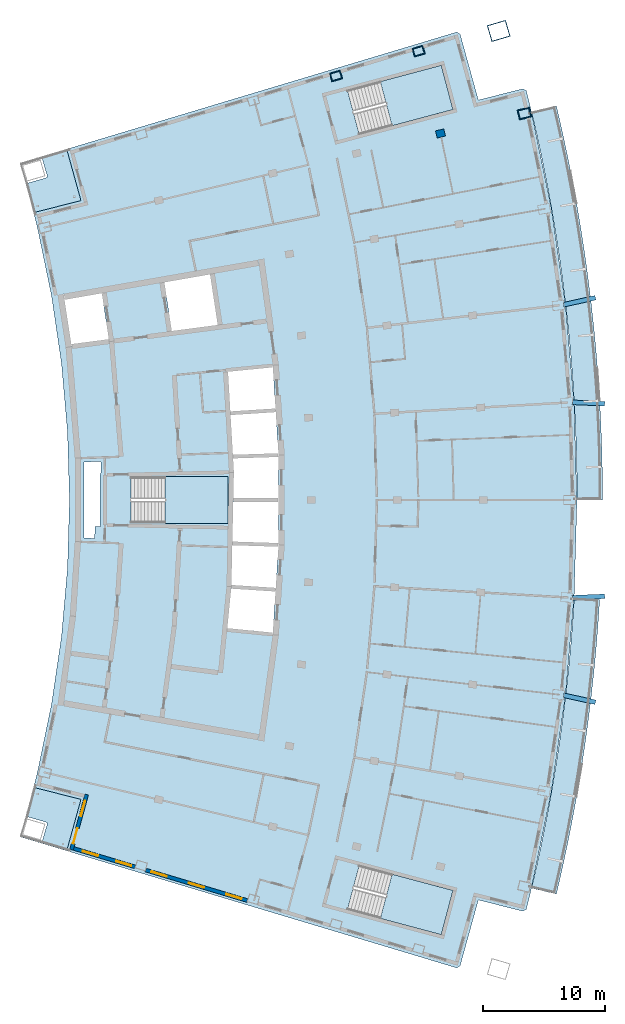
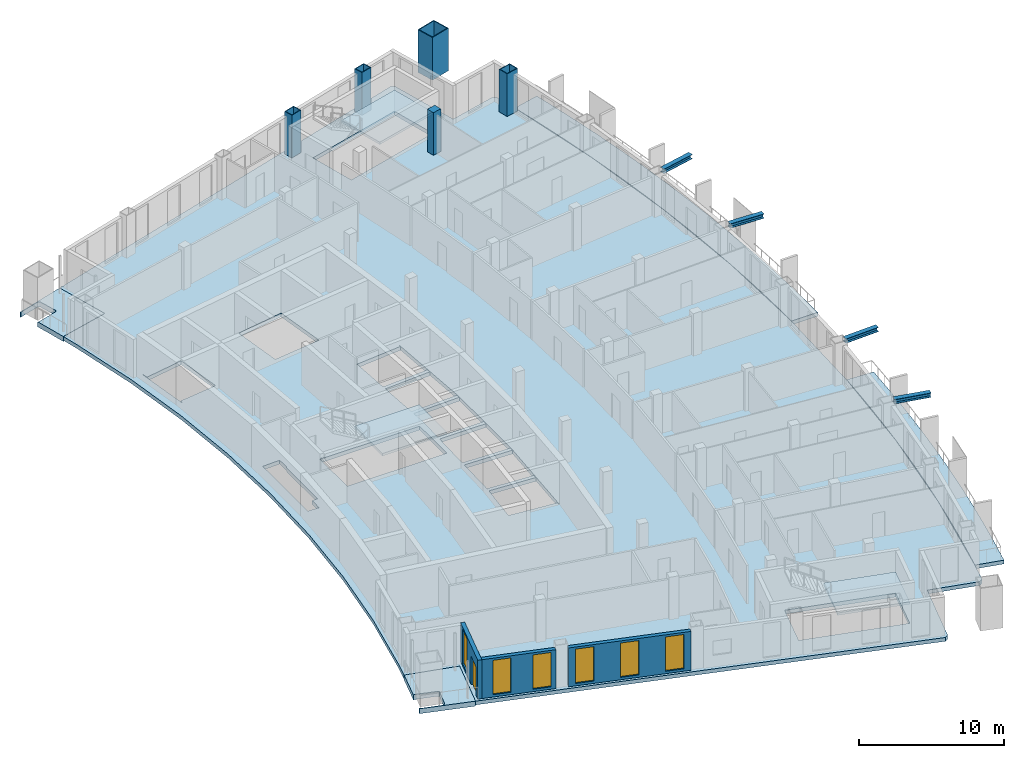
# One storey, part 6 of 15: 8 slabs, 6 windows, 5 columns, 4 members, 3 walls, 1 door, 7 openings, 3 elements without a shape of their own.
"""IFC4 building model written with IfcOpenShell, lengths in metres."""

from ifc_helpers import new_model, si_unit, direction, frame, frame_2d, origin, origin_2d, place, context, subcontext, project, spatial, polyline, rectangle, hollow_rectangle, i_section, outline, extrude, material, layer, layer_set, material_profile, profile_set, type_object, element, fill, aggregate, save


model = new_model("IFC4")

# Units and contexts
model_context = context("Model", 3, precision=1e-05, world=origin(), true_north=direction((0.0, 1.0)))
body_context = subcontext(model_context, "Body", "Model", "MODEL_VIEW")
ifc_project = project(units=[si_unit("LENGTHUNIT", "METRE"), si_unit("AREAUNIT", "SQUARE_METRE"), si_unit("VOLUMEUNIT", "CUBIC_METRE"), si_unit("PLANEANGLEUNIT", "RADIAN"), si_unit("MASSUNIT", "GRAM", prefix="KILO")], contexts=[model_context])

# Site, building, storey
site_placement = place(None, origin())
site = spatial("IfcSite", under=ifc_project, at=site_placement, CompositionType="ELEMENT")
building_placement = place(site_placement, origin())
building = spatial("IfcBuilding", under=site, at=building_placement, Name="Alderwake Tower", CompositionType="ELEMENT")
storey_placement = place(building_placement, frame((0.0, 0.0, 249.199951171875)))
storey = spatial("IfcBuildingStorey", under=building, at=storey_placement, Name="L61", CompositionType="ELEMENT", Elevation=249.199951171875)

# Columns
ifc_material_1 = material(Name="Steel ASTM A572 Grade 50 concrete filled C70/85", Category="concrete")
ifc_material_profile_1 = material_profile(ifc_material_1, hollow_rectangle(XDim=0.699951171875, YDim=0.89990234375, WallThickness=0.050048828125, at=origin_2d()), Name="BOX 900X700X50")
ifc_profile_set_1 = profile_set([ifc_material_profile_1], Name="Steel ASTM A572 Grade 50 concrete filled C70/85")
column_type_1 = type_object("IfcColumnType", Name="End column Z5", PredefinedType="COLUMN", material=ifc_profile_set_1)
for number, where, z_axis, x_axis, name in (
    (1, (37.8486328125, 95.755126953125, 0.0), (0.0, 0.0, 1.0), (-0.28286882455, 0.959158604245, 0.0), "Column R12-C3"),
    (2, (44.616943359375, 97.787109375, 0.0), (0.0, 0.0, 1.0), (-0.283123269824, 0.95908352821, 0.0), "Column R12-C4"),
):
    element("IfcColumn", number, at=place(storey_placement, frame(where, z_axis=z_axis, x_axis=x_axis)), inside=storey, type_object=column_type_1, Name=name, PredefinedType="COLUMN", context=body_context, shape_type="SweptSolid", body=[
        extrude(hollow_rectangle(XDim=0.699951171875, YDim=0.89990234375, WallThickness=0.050048828125, at=origin_2d()), origin(), (0.0, 0.0, 1.0), 3.60009765625),
    ])
ifc_material_2 = material(Name="Concrete C70/85", Category="concrete")
ifc_material_profile_2 = material_profile(ifc_material_2, rectangle(XDim=0.60009765625, YDim=0.699951171875, at=origin_2d()), Name="RC 700X600")
ifc_profile_set_2 = profile_set([ifc_material_profile_2], Name="Concrete C70/85")
column_type_2 = type_object("IfcColumnType", Name="Interior column Z5", PredefinedType="COLUMN", material=ifc_profile_set_2)
column_1_placement = place(storey_placement, frame((46.412109375, 91.04345703125, 0.0), z_axis=(0.0, 0.0, 1.0), x_axis=(-0.231221547198, 0.972901123502, 0.0)))
element("IfcColumn", 3, at=column_1_placement, inside=storey, type_object=column_type_2, Name="Column R11-C4", PredefinedType="COLUMN", context=body_context, shape_type="SweptSolid", body=[
    extrude(rectangle(XDim=0.60009765625, YDim=0.699951171875, at=origin_2d()), origin(), (0.0, 0.0, 1.0), 3.60009765625),
])
ifc_material_3 = material(Name="Steel ASTM A572 Grade 50 concrete filled C70/85", Category="concrete")
ifc_material_profile_3 = material_profile(ifc_material_3, hollow_rectangle(XDim=1.39990234375, YDim=1.60009765625, WallThickness=0.070068359375, at=origin_2d()), Name="BOX 1600X1400X70")
ifc_profile_set_3 = profile_set([ifc_material_profile_3], Name="Steel ASTM A572 Grade 50 concrete filled C70/85")
column_type_3 = type_object("IfcColumnType", Name="Mega column Z5", PredefinedType="COLUMN", material=ifc_profile_set_3)
column_2_placement = place(storey_placement, frame((51.181884765625, 99.447021484375, 0.0), z_axis=(0.0, 0.0, 1.0), x_axis=(-0.281251293329, 0.959634154249, 0.0)))
element("IfcColumn", 4, at=column_2_placement, inside=storey, type_object=column_type_3, Name="Column R12-C5", PredefinedType="COLUMN", context=body_context, shape_type="SweptSolid", body=[
    extrude(hollow_rectangle(XDim=1.39990234375, YDim=1.60009765625, WallThickness=0.070068359375, at=origin_2d()), origin(), (0.0, 0.0, 1.0), 3.60009765625),
])
ifc_material_4 = material(Name="Steel ASTM A572 Grade 50 concrete filled C70/85", Category="concrete")
ifc_material_profile_4 = material_profile(ifc_material_4, hollow_rectangle(XDim=0.800048828125, YDim=1.0, WallThickness=0.054931640625, at=origin_2d()), Name="BOX 1000X800X55")
ifc_profile_set_4 = profile_set([ifc_material_profile_4], Name="Steel ASTM A572 Grade 50 concrete filled C70/85")
column_type_4 = type_object("IfcColumnType", Name="Perimeter column Z5", PredefinedType="COLUMN", material=ifc_profile_set_4)
column_3_placement = place(storey_placement, frame((53.287353515625, 92.677490234375, 0.0), z_axis=(0.0, 0.0, 1.0), x_axis=(-0.231221547198, 0.972901123502, 0.0)))
element("IfcColumn", 5, at=column_3_placement, inside=storey, type_object=column_type_4, Name="Column R11-C5", PredefinedType="COLUMN", context=body_context, shape_type="SweptSolid", body=[
    extrude(hollow_rectangle(XDim=0.800048828125, YDim=1.0, WallThickness=0.054931640625, at=origin_2d()), origin(), (0.0, 0.0, 1.0), 3.60009765625),
])

# Members
ifc_material_5 = material(Name="Steel ASTM A992 Grade 50", Category="steel")
ifc_material_profile_5 = material_profile(ifc_material_5, i_section(OverallWidth=0.3740234375, OverallDepth=0.372314453125, WebThickness=0.016357421875, FlangeThickness=0.026123046875, at=origin_2d()), Name="W14X132")
ifc_profile_set_5 = profile_set([ifc_material_profile_5], Name="Steel ASTM A992 Grade 50")
member_type = type_object("IfcMemberType", Name="Brace node stub W14X132", PredefinedType="MEMBER", material=ifc_profile_set_5)
for number, where, z_axis, x_axis, name in (
    (6, (56.514892578125, 44.99462890625, 3.393798828125), (0.976385314898, -0.216036378538, 0.0), (0.216036378538, 0.976385314898, 0.0), "Brace node stub BS.FR05-C5.2528"),
    (7, (57.216552734375, 52.99267578125, 3.393798828125), (0.999088943242, 0.042676498127, 0.0), (-0.042676498127, 0.999088943242, 0.0), "Brace node stub BS.FR06-C5.2528"),
    (8, (57.216552734375, 69.00732421875, 3.393798828125), (0.999088943242, -0.042676498127, 0.0), (0.042676498127, 0.999088943242, 0.0), "Brace node stub BS.FR08-C5.2528"),
    (9, (56.514892578125, 77.00537109375, 3.393798828125), (0.976385314898, 0.216036378538, 0.0), (-0.216036378538, 0.976385314898, 0.0), "Brace node stub BS.FR09-C5.2528"),
):
    element("IfcMember", number, at=place(storey_placement, frame(where, z_axis=z_axis, x_axis=x_axis)), inside=storey, type_object=member_type, Name=name, PredefinedType="MEMBER", context=body_context, shape_type="SweptSolid", body=[
        extrude(i_section(OverallWidth=0.3740234375, OverallDepth=0.372314453125, WebThickness=0.016357421875, FlangeThickness=0.026123046875, at=origin_2d()), origin(), (0.0, 0.0, 1.0), 2.66015625),
    ])

# Slabs
ifc_material_6 = material(Name="Concrete C50/60", Category="concrete")
ifc_layer_1 = layer(ifc_material_6, 0.320068359375)
ifc_layer_set_1 = layer_set([ifc_layer_1], Name="Balcony slab 320")
slab_type_1 = type_object("IfcSlabType", Name="Balcony slab 320", PredefinedType="FLOOR", material=ifc_layer_set_1)
slab_1_placement = place(storey_placement, frame((0.0, 0.0, -0.320068359375)))
element("IfcSlab", 10, at=slab_1_placement, inside=storey, type_object=slab_type_1, Name="Balcony BF03", PredefinedType="FLOOR", context=body_context, shape_type="SweptSolid", body=[
    extrude(outline(polyline([(56.798583984375, 32.67578125), (57.197021484375, 34.673583984375), (57.56640625, 36.677001953125), (57.906494140625, 38.685791015625), (58.217041015625, 40.69921875), (58.49853515625, 42.717041015625), (58.750244140625, 44.738525390625), (58.97265625, 46.763671875), (59.16552734375, 48.791748046875), (59.328857421875, 50.822509765625), (59.46240234375, 52.85546875), (57.365966796875, 52.977783203125), (57.234375, 50.9755859375), (57.073486328125, 48.975341796875), (56.8837890625, 46.977783203125), (56.66455078125, 44.983154296875), (56.41650390625, 42.99169921875), (56.139404296875, 41.00439453125), (55.833251953125, 39.021240234375), (55.498291015625, 37.042724609375), (55.134521484375, 35.0693359375), (54.7421875, 33.101318359375), (54.32080078125, 31.139404296875), (53.87109375, 29.183837890625), (55.914306640625, 28.6982421875), (56.370849609375, 30.683837890625), (56.798583984375, 32.67578125)])), origin(), (0.0, 0.0, 1.0), 0.320068359375),
])
slab_2_placement = place(storey_placement, frame((0.0, 0.0, -0.320068359375)))
element("IfcSlab", 11, at=slab_2_placement, inside=storey, type_object=slab_type_1, Name="Balcony BF07", PredefinedType="FLOOR", context=body_context, shape_type="SweptSolid", body=[
    extrude(outline(polyline([(59.68505859375, 63.037109375), (59.640625, 65.073974609375), (59.56640625, 67.10986328125), (59.46240234375, 69.14453125), (59.328857421875, 71.177490234375), (59.16552734375, 73.208251953125), (58.97265625, 75.236328125), (58.750244140625, 77.261474609375), (58.49853515625, 79.282958984375), (58.217041015625, 81.30078125), (57.906494140625, 83.314208984375), (57.56640625, 85.322998046875), (57.197021484375, 87.326416015625), (56.798583984375, 89.32421875), (56.370849609375, 91.316162109375), (55.914306640625, 93.3017578125), (53.87109375, 92.816162109375), (54.32080078125, 90.860595703125), (54.7421875, 88.898681640625), (55.134521484375, 86.9306640625), (55.498291015625, 84.957275390625), (55.833251953125, 82.978759765625), (56.139404296875, 80.99560546875), (56.41650390625, 79.00830078125), (56.66455078125, 77.016845703125), (56.8837890625, 75.022216796875), (57.073486328125, 73.024658203125), (57.234375, 71.0244140625), (57.365966796875, 69.022216796875), (57.46826171875, 67.01806640625), (57.54150390625, 65.0126953125), (57.58544921875, 63.006591796875), (57.60009765625, 61.0), (59.699951171875, 61.0), (59.68505859375, 63.037109375)])), origin(), (0.0, 0.0, 1.0), 0.320068359375),
])
ifc_material_7 = material(Name="Concrete C50/60", Category="concrete")
ifc_layer_2 = layer(ifc_material_7, 0.320068359375)
ifc_layer_set_2 = layer_set([ifc_layer_2], Name="Concrete C50/60 post-tensioned flat plate 320")
slab_type_2 = type_object("IfcSlabType", Name="Concrete C50/60 post-tensioned flat plate 320", PredefinedType="FLOOR", material=ifc_layer_set_2)
slab_3_placement = place(storey_placement, frame((0.0, 0.0, -0.320068359375)))
element("IfcSlab", 12, at=slab_3_placement, inside=storey, type_object=slab_type_2, Name="Floor slab L61", PredefinedType="FLOOR", context=body_context, shape_type="SweptSolid", body=[
    extrude(outline(polyline([(13.06494140625, 37.443115234375), (13.3984375, 38.802734375), (14.53369140625, 44.28564453125), (15.347412109375, 49.825439453125), (15.836669921875, 55.4033203125), (16.0, 61.0), (15.836669921875, 66.5966796875), (15.347412109375, 72.174560546875), (14.53369140625, 77.71435546875), (13.3984375, 83.197265625), (13.06494140625, 84.556884765625), (16.942626953125, 85.53857421875), (15.776611328125, 89.7548828125), (47.7373046875, 99.350341796875), (48.018798828125, 99.19482421875), (49.515380859375, 93.783447265625), (53.169921875, 94.70849609375), (53.44775390625, 94.54150390625), (53.87109375, 92.816162109375), (55.498291015625, 84.957275390625), (56.66455078125, 77.016845703125), (57.365966796875, 69.022216796875), (57.60009765625, 61.0), (57.365966796875, 52.977783203125), (56.66455078125, 44.983154296875), (55.498291015625, 37.042724609375), (53.87109375, 29.183837890625), (53.44775390625, 27.45849609375), (53.169921875, 27.29150390625), (49.515380859375, 28.216552734375), (48.018798828125, 22.80517578125), (47.7373046875, 22.649658203125), (15.776611328125, 32.2451171875), (16.942626953125, 36.46142578125), (13.06494140625, 37.443115234375)]), holes=[polyline([(29.2578125, 53.77197265625), (28.9365234375, 50.4912109375), (32.646484375, 50.128173828125), (32.6318359375, 49.978759765625), (32.661865234375, 49.975830078125), (32.90087890625, 53.64794921875), (33.139892578125, 57.320068359375), (33.139892578125, 61.0), (33.139892578125, 64.679931640625), (32.90087890625, 68.35205078125), (32.661865234375, 72.024169921875), (32.6318359375, 72.021240234375), (32.646484375, 71.871826171875), (28.886962890625, 71.50390625), (28.88720703125, 71.50048828125), (28.99462890625, 71.506591796875), (29.184814453125, 68.26025390625), (32.861083984375, 68.499755859375), (32.87109375, 68.35009765625), (32.880615234375, 68.200439453125), (29.2021484375, 67.960693359375), (29.392578125, 64.7080078125), (33.105224609375, 64.828857421875), (33.110107421875, 64.678955078125), (33.114990234375, 64.529052734375), (29.41015625, 64.408447265625), (29.4765625, 63.27685546875), (29.429443359375, 61.14990234375), (33.110107421875, 61.14990234375), (33.110107421875, 61.0), (33.110107421875, 60.85009765625), (29.4228515625, 60.85009765625), (29.350830078125, 57.593505859375), (33.114990234375, 57.470947265625), (33.110107421875, 57.321044921875), (33.105224609375, 57.171142578125), (29.34423828125, 57.29345703125), (29.2705078125, 53.969482421875), (29.274169921875, 53.969482421875), (29.2783203125, 54.0341796875), (32.880615234375, 53.799560546875), (32.87109375, 53.64990234375), (32.861083984375, 53.500244140625), (29.2587890625, 53.73486328125), (29.26123046875, 53.771728515625), (29.2578125, 53.77197265625)]), polyline([(21.050048828125, 62.875), (21.050048828125, 59.125), (29.0, 59.125), (29.0, 62.875), (21.050048828125, 62.875)]), polyline([(15.54345703125, 77.892822265625), (15.437744140625, 77.874267578125), (15.4384765625, 77.87060546875), (15.519287109375, 77.8828125), (16.180908203125, 73.579833984375), (16.210693359375, 73.583740234375), (16.184814453125, 73.781982421875), (19.224609375, 74.1796875), (18.656005859375, 77.940673828125), (18.852294921875, 77.97021484375), (18.8505859375, 77.980224609375), (15.626220703125, 77.418212890625), (15.54345703125, 77.892822265625)]), polyline([(27.521240234375, 79.491943359375), (23.77783203125, 78.83935546875), (24.384033203125, 74.858642578125), (24.3642578125, 74.855712890625), (24.36474609375, 74.851806640625), (28.152587890625, 75.347412109375), (27.521240234375, 79.491943359375)]), polyline([(47.436279296875, 28.996826171875), (39.754150390625, 31.043212890625), (38.7890625, 27.41943359375), (46.47119140625, 25.373291015625), (47.436279296875, 28.996826171875)]), polyline([(46.47119140625, 96.626708984375), (38.7890625, 94.58056640625), (39.754150390625, 90.956787109375), (47.436279296875, 93.003173828125), (46.47119140625, 96.626708984375)]), polyline([(17.189453125, 64.114990234375), (17.189453125, 57.885009765625), (18.06298828125, 57.85400390625), (18.090576171875, 58.84375), (18.544189453125, 58.831298828125), (18.529296875, 58.8681640625), (18.5234375, 58.891845703125), (18.5185546875, 58.940673828125), (18.5185546875, 63.060302734375), (18.5234375, 63.109130859375), (18.53759765625, 63.156005859375), (18.560791015625, 63.19921875), (18.588623046875, 63.2333984375), (18.562744140625, 64.16357421875), (17.189453125, 64.114990234375)])]), origin(), (0.0, 0.0, 1.0), 0.320068359375),
])

# Stair, slab
ifc_material_8 = material(Name="Concrete C40/50", Category="concrete")
stair_type = type_object("IfcStairType", Name="Core exit stair", PredefinedType="HALF_TURN_STAIR", material=ifc_material_8)
stair_1_placement = place(storey_placement, origin())
stair_1 = element("IfcStair", 13, at=stair_1_placement, inside=storey, type_object=stair_type, Name="L61 Exit Stair B", PredefinedType="HALF_TURN_STAIR")
ifc_material_9 = material(Name="Concrete C40/50", Category="concrete")
ifc_layer_3 = layer(ifc_material_9, 0.199951171875)
ifc_layer_set_3 = layer_set([ifc_layer_3], Name="Core stair landing 200")
slab_type_3 = type_object("IfcSlabType", Name="Core stair landing 200", PredefinedType="LANDING", material=ifc_layer_set_3)
slab_4_placement = place(storey_placement, frame((0.0, 0.0, 1.60009765625)))
slab_4 = element("IfcSlab", 14, at=slab_4_placement, type_object=slab_type_3, Name="ST-B landing 1", PredefinedType="LANDING", context=body_context, shape_type="SweptSolid", body=[
    extrude(outline(polyline([(23.830078125, 59.074951171875), (29.0, 59.074951171875), (29.0, 62.925048828125), (23.830078125, 62.925048828125), (23.830078125, 59.074951171875)])), origin(), (0.0, 0.0, 1.0), 0.199951171875),
])
aggregate(stair_1, [slab_4])

stair_2_placement = place(storey_placement, origin())
stair_2 = element("IfcStair", 15, at=stair_2_placement, inside=storey, type_object=stair_type, Name="L61 Exit Stair A", PredefinedType="HALF_TURN_STAIR")
slab_5_placement = place(storey_placement, frame((0.0, 0.0, 1.60009765625)))
slab_5 = element("IfcSlab", 16, at=slab_5_placement, type_object=slab_type_3, Name="ST-A landing 1", PredefinedType="LANDING", context=body_context, shape_type="SweptSolid", body=[
    extrude(outline(polyline([(42.440673828125, 91.67236328125), (47.436279296875, 93.003173828125), (46.47119140625, 96.626708984375), (41.475341796875, 95.296142578125), (42.440673828125, 91.67236328125)])), origin(), (0.0, 0.0, 1.0), 0.199951171875),
])
aggregate(stair_2, [slab_5])

stair_3_placement = place(storey_placement, origin())
stair_3 = element("IfcStair", 17, at=stair_3_placement, inside=storey, type_object=stair_type, Name="L61 Exit Stair C", PredefinedType="HALF_TURN_STAIR")
slab_6_placement = place(storey_placement, frame((0.0, 0.0, 1.60009765625)))
slab_6 = element("IfcSlab", 18, at=slab_6_placement, type_object=slab_type_3, Name="ST-C landing 1", PredefinedType="LANDING", context=body_context, shape_type="SweptSolid", body=[
    extrude(outline(polyline([(41.475341796875, 26.703857421875), (46.47119140625, 25.373291015625), (47.436279296875, 28.996826171875), (42.4404296875, 30.32763671875), (41.475341796875, 26.703857421875)])), origin(), (0.0, 0.0, 1.0), 0.199951171875),
])
aggregate(stair_3, [slab_6])

# Slabs
ifc_material_10 = material(Name="Concrete C50/60", Category="concrete")
ifc_layer_4 = layer(ifc_material_10, 0.419921875)
ifc_layer_set_4 = layer_set([ifc_layer_4], Name="Terrace slab 420")
slab_type_4 = type_object("IfcSlabType", Name="Terrace slab 420", PredefinedType="FLOOR", material=ifc_layer_set_4)
slab_7_placement = place(storey_placement, frame((0.0, 0.0, -0.419921875)))
element("IfcSlab", 19, at=slab_7_placement, inside=storey, type_object=slab_type_4, Name="Corner terrace RS", PredefinedType="FLOOR", context=body_context, shape_type="SweptSolid", body=[
    extrude(outline(polyline([(15.776611328125, 32.2451171875), (11.945556640625, 33.395263671875), (11.9697265625, 33.478271484375), (11.97607421875, 33.46826171875), (11.985107421875, 33.456298828125), (11.9951171875, 33.44580078125), (12.006103515625, 33.435791015625), (12.017822265625, 33.42724609375), (12.03076171875, 33.419921875), (12.0439453125, 33.413818359375), (12.05810546875, 33.408935546875), (13.594482421875, 32.963134765625), (13.60888671875, 32.959716796875), (13.62353515625, 32.957763671875), (13.63818359375, 32.957275390625), (13.65283203125, 32.9580078125), (13.66748046875, 32.96044921875), (13.681640625, 32.964111328125), (13.695556640625, 32.969482421875), (13.708740234375, 32.975830078125), (13.72119140625, 32.9833984375), (13.73291015625, 32.992431640625), (13.74365234375, 33.00244140625), (13.75341796875, 33.013427734375), (13.76220703125, 33.025390625), (13.76953125, 33.0380859375), (13.775634765625, 33.051513671875), (13.780517578125, 33.0654296875), (14.17041015625, 34.409912109375), (14.173828125, 34.42431640625), (14.17578125, 34.43896484375), (14.176513671875, 34.45361328125), (14.175537109375, 34.46826171875), (14.173095703125, 34.48291015625), (14.16943359375, 34.4970703125), (14.164306640625, 34.510986328125), (14.157958984375, 34.524169921875), (14.150146484375, 34.53662109375), (14.14111328125, 34.54833984375), (14.131103515625, 34.55908203125), (14.1201171875, 34.56884765625), (14.1083984375, 34.577392578125), (14.095458984375, 34.5849609375), (14.082275390625, 34.591064453125), (14.068115234375, 34.595947265625), (12.531494140625, 35.04150390625), (12.517333984375, 35.044921875), (12.502685546875, 35.047119140625), (12.488037109375, 35.047607421875), (12.473388671875, 35.046630859375), (12.458740234375, 35.044189453125), (12.444580078125, 35.04052734375), (12.4306640625, 35.035400390625), (12.418701171875, 35.029541015625), (12.71142578125, 36.08837890625), (13.06494140625, 37.443115234375), (16.942626953125, 36.46142578125), (15.776611328125, 32.2451171875)])), origin(), (0.0, 0.0, 1.0), 0.419921875),
])
slab_8_placement = place(storey_placement, frame((0.0, 0.0, -0.419921875)))
element("IfcSlab", 20, at=slab_8_placement, inside=storey, type_object=slab_type_4, Name="Corner terrace RN", PredefinedType="FLOOR", context=body_context, shape_type="SweptSolid", body=[
    extrude(outline(polyline([(12.418701171875, 86.970458984375), (12.4306640625, 86.964599609375), (12.444580078125, 86.95947265625), (12.458740234375, 86.955810546875), (12.473388671875, 86.953369140625), (12.488037109375, 86.952392578125), (12.502685546875, 86.952880859375), (12.517333984375, 86.955078125), (12.531494140625, 86.95849609375), (14.068115234375, 87.404052734375), (14.082275390625, 87.408935546875), (14.095458984375, 87.4150390625), (14.1083984375, 87.422607421875), (14.1201171875, 87.43115234375), (14.131103515625, 87.44091796875), (14.14111328125, 87.45166015625), (14.150146484375, 87.46337890625), (14.157958984375, 87.475830078125), (14.164306640625, 87.489013671875), (14.16943359375, 87.5029296875), (14.173095703125, 87.51708984375), (14.175537109375, 87.53173828125), (14.176513671875, 87.54638671875), (14.17578125, 87.56103515625), (14.173828125, 87.57568359375), (14.17041015625, 87.590087890625), (13.780517578125, 88.9345703125), (13.775634765625, 88.948486328125), (13.76953125, 88.9619140625), (13.76220703125, 88.974609375), (13.75341796875, 88.986572265625), (13.74365234375, 88.99755859375), (13.73291015625, 89.007568359375), (13.72119140625, 89.0166015625), (13.708740234375, 89.024169921875), (13.695556640625, 89.030517578125), (13.681640625, 89.035888671875), (13.66748046875, 89.03955078125), (13.65283203125, 89.0419921875), (13.63818359375, 89.042724609375), (13.62353515625, 89.042236328125), (13.60888671875, 89.040283203125), (13.594482421875, 89.036865234375), (12.05810546875, 88.591064453125), (12.0439453125, 88.586181640625), (12.03076171875, 88.580078125), (12.017822265625, 88.57275390625), (12.006103515625, 88.564208984375), (11.9951171875, 88.55419921875), (11.985107421875, 88.543701171875), (11.97607421875, 88.53173828125), (11.9697265625, 88.521728515625), (11.945556640625, 88.604736328125), (15.776611328125, 89.7548828125), (16.942626953125, 85.53857421875), (13.06494140625, 84.556884765625), (12.71142578125, 85.91162109375), (12.418701171875, 86.970458984375)])), origin(), (0.0, 0.0, 1.0), 0.419921875),
])

# Wall, openings, door, window
ifc_material_11 = material(Name="Bronze metal cladding on lightweight framing")
ifc_layer_5 = layer(ifc_material_11, 0.300048828125)
ifc_layer_set_5 = layer_set([ifc_layer_5], Name="External wall EW2 bronze metal cladding")
wall_type = type_object("IfcWallType", Name="External wall EW2 bronze metal cladding", PredefinedType="SOLIDWALL", material=ifc_layer_set_5)
wall_1_placement = place(storey_placement, frame((17.410400390625, 36.85888671875, 0.0), z_axis=(0.0, 0.0, 1.0), x_axis=(-0.264592640785, -0.96436027212, 0.0)))
wall_1 = element("IfcWall", 21, at=wall_1_placement, inside=storey, type_object=wall_type, Name="External wall 3", PredefinedType="SOLIDWALL", context=body_context, shape_type="SweptSolid", body=[
    extrude(rectangle(XDim=4.690185546875, YDim=0.300048828125, at=frame_2d((2.34521484375, 0.0))), origin(), (0.0, 0.0, 1.0), 3.280029296875),
])
opening_1_placement = place(wall_1_placement, frame((0.5224609375, 0.0, 0.199951171875)))
opening_1 = element("IfcOpeningElement", 22, at=opening_1_placement, cuts=wall_1, Name="Opening W1", PredefinedType="OPENING", context=body_context, shape_type="SweptSolid", body=[
    extrude(rectangle(XDim=1.300048828125, YDim=2.89990234375, at=frame_2d((0.64990234375, 1.449951171875))), frame((0.0, 0.159912109375, 0.0), z_axis=(0.0, -1.0, 0.0), x_axis=(1.0, 0.0, 0.0)), (0.0, 0.0, 1.0), 0.320068359375),
])
opening_2_placement = place(wall_1_placement, frame((2.867431640625, 0.0, 0.0)))
opening_2 = element("IfcOpeningElement", 23, at=opening_2_placement, cuts=wall_1, Name="Opening D01", PredefinedType="OPENING", context=body_context, shape_type="SweptSolid", body=[
    extrude(rectangle(XDim=1.300048828125, YDim=2.39990234375, at=frame_2d((0.64990234375, 1.199951171875))), frame((0.0, 0.159912109375, 0.0), z_axis=(0.0, -1.0, 0.0), x_axis=(1.0, 0.0, 0.0)), (0.0, 0.0, 1.0), 0.320068359375),
])
ifc_material_12 = material(Name="Bronze tinted glass in aluminium frame", Category="aluminium")
door_type = type_object("IfcDoorType", Name="Balcony door BD sliding", OperationType="SLIDING_TO_LEFT", PredefinedType="DOOR", material=ifc_material_12)
door_placement = place(opening_2_placement, origin())
door = element("IfcDoor", 24, at=door_placement, inside=storey, type_object=door_type, Name="Door D01", OperationType="SLIDING_TO_LEFT", OverallHeight=2.39990234375, OverallWidth=1.300048828125, PredefinedType="DOOR", context=body_context, shape_type="SweptSolid", body=[
    extrude(rectangle(XDim=1.300048828125, YDim=2.39990234375, at=frame_2d((0.64990234375, 1.199951171875))), frame((0.0, 0.02490234375, 0.0), z_axis=(0.0, -1.0, 0.0), x_axis=(1.0, 0.0, 0.0)), (0.0, 0.0, 1.0), 0.050048828125),
])
fill(opening_2, door)
ifc_material_13 = material(Name="Bronze tinted glass in aluminium frame", Category="aluminium")
window_type = type_object("IfcWindowType", Name="Window W1 tall fixed and vent", PartitioningType="DOUBLE_PANEL_VERTICAL", PredefinedType="WINDOW", material=ifc_material_13)
window_1_placement = place(opening_1_placement, origin())
window_1 = element("IfcWindow", 25, at=window_1_placement, inside=storey, type_object=window_type, Name="Window W1 tall fixed and vent", OverallHeight=2.89990234375, OverallWidth=1.300048828125, PartitioningType="DOUBLE_PANEL_VERTICAL", PredefinedType="WINDOW", context=body_context, shape_type="SweptSolid", body=[
    extrude(rectangle(XDim=1.300048828125, YDim=2.89990234375, at=frame_2d((0.64990234375, 1.449951171875))), frame((0.0, 0.030029296875, 0.0), z_axis=(0.0, -1.0, 0.0), x_axis=(1.0, 0.0, 0.0)), (0.0, 0.0, 1.0), 0.06005859375),
])
fill(opening_1, window_1)

# Wall, openings, windows
wall_2_placement = place(storey_placement, frame((16.352783203125, 32.4375, 0.0), z_axis=(0.0, 0.0, 1.0), x_axis=(0.957768668152, -0.287539872551, 0.0)))
wall_2 = element("IfcWall", 26, at=wall_2_placement, inside=storey, type_object=wall_type, Name="External wall 4", PredefinedType="SOLIDWALL", context=body_context, shape_type="SweptSolid", body=[
    extrude(rectangle(XDim=5.249755859375, YDim=0.300048828125, at=frame_2d((2.625, 0.0))), origin(), (0.0, 0.0, 1.0), 3.280029296875),
])
opening_3_placement = place(wall_2_placement, frame((0.775390625, 0.0, 0.199951171875)))
opening_3 = element("IfcOpeningElement", 27, at=opening_3_placement, cuts=wall_2, Name="Opening W1", PredefinedType="OPENING", context=body_context, shape_type="SweptSolid", body=[
    extrude(rectangle(XDim=1.300048828125, YDim=2.89990234375, at=frame_2d((0.64990234375, 1.449951171875))), frame((0.0, 0.159912109375, 0.0), z_axis=(0.0, -1.0, 0.0), x_axis=(1.0, 0.0, 0.0)), (0.0, 0.0, 1.0), 0.320068359375),
])
opening_4_placement = place(wall_2_placement, frame((3.626220703125, 0.0, 0.199951171875)))
opening_4 = element("IfcOpeningElement", 28, at=opening_4_placement, cuts=wall_2, Name="Opening W1", PredefinedType="OPENING", context=body_context, shape_type="SweptSolid", body=[
    extrude(rectangle(XDim=1.300048828125, YDim=2.89990234375, at=frame_2d((0.64990234375, 1.449951171875))), frame((0.0, 0.159912109375, 0.0), z_axis=(0.0, -1.0, 0.0), x_axis=(1.0, 0.0, 0.0)), (0.0, 0.0, 1.0), 0.320068359375),
])
window_2_placement = place(opening_3_placement, origin())
window_2 = element("IfcWindow", 29, at=window_2_placement, inside=storey, type_object=window_type, Name="Window W1 tall fixed and vent", OverallHeight=2.89990234375, OverallWidth=1.300048828125, PartitioningType="DOUBLE_PANEL_VERTICAL", PredefinedType="WINDOW", context=body_context, shape_type="SweptSolid", body=[
    extrude(rectangle(XDim=1.300048828125, YDim=2.89990234375, at=frame_2d((0.64990234375, 1.449951171875))), frame((0.0, 0.030029296875, 0.0), z_axis=(0.0, -1.0, 0.0), x_axis=(1.0, 0.0, 0.0)), (0.0, 0.0, 1.0), 0.06005859375),
])
fill(opening_3, window_2)
window_3_placement = place(opening_4_placement, origin())
window_3 = element("IfcWindow", 30, at=window_3_placement, inside=storey, type_object=window_type, Name="Window W1 tall fixed and vent", OverallHeight=2.89990234375, OverallWidth=1.300048828125, PartitioningType="DOUBLE_PANEL_VERTICAL", PredefinedType="WINDOW", context=body_context, shape_type="SweptSolid", body=[
    extrude(rectangle(XDim=1.300048828125, YDim=2.89990234375, at=frame_2d((0.64990234375, 1.449951171875))), frame((0.0, 0.030029296875, 0.0), z_axis=(0.0, -1.0, 0.0), x_axis=(1.0, 0.0, 0.0)), (0.0, 0.0, 1.0), 0.06005859375),
])
fill(opening_4, window_3)

wall_3_placement = place(storey_placement, frame((22.24658203125, 30.668212890625, 0.0), z_axis=(0.0, 0.0, 1.0), x_axis=(0.957762902908, -0.287559075345, 0.0)))
wall_3 = element("IfcWall", 31, at=wall_3_placement, inside=storey, type_object=wall_type, Name="External wall 5", PredefinedType="SOLIDWALL", context=body_context, shape_type="SweptSolid", body=[
    extrude(rectangle(XDim=8.696533203125, YDim=0.300048828125, at=frame_2d((4.34814453125, 0.0))), origin(), (0.0, 0.0, 1.0), 3.280029296875),
])
opening_5_placement = place(wall_3_placement, frame((0.498046875, 0.0, 0.199951171875)))
opening_5 = element("IfcOpeningElement", 32, at=opening_5_placement, cuts=wall_3, Name="Opening W1", PredefinedType="OPENING", context=body_context, shape_type="SweptSolid", body=[
    extrude(rectangle(XDim=1.300048828125, YDim=2.89990234375, at=frame_2d((0.64990234375, 1.449951171875))), frame((0.0, 0.159912109375, 0.0), z_axis=(0.0, -1.0, 0.0), x_axis=(1.0, 0.0, 0.0)), (0.0, 0.0, 1.0), 0.320068359375),
])
opening_6_placement = place(wall_3_placement, frame((3.697998046875, 0.0, 0.199951171875)))
opening_6 = element("IfcOpeningElement", 33, at=opening_6_placement, cuts=wall_3, Name="Opening W1", PredefinedType="OPENING", context=body_context, shape_type="SweptSolid", body=[
    extrude(rectangle(XDim=1.300048828125, YDim=2.89990234375, at=frame_2d((0.64990234375, 1.449951171875))), frame((0.0, 0.159912109375, 0.0), z_axis=(0.0, -1.0, 0.0), x_axis=(1.0, 0.0, 0.0)), (0.0, 0.0, 1.0), 0.320068359375),
])
opening_7_placement = place(wall_3_placement, frame((6.898193359375, 0.0, 0.199951171875)))
opening_7 = element("IfcOpeningElement", 34, at=opening_7_placement, cuts=wall_3, Name="Opening W1", PredefinedType="OPENING", context=body_context, shape_type="SweptSolid", body=[
    extrude(rectangle(XDim=1.300048828125, YDim=2.89990234375, at=frame_2d((0.64990234375, 1.449951171875))), frame((0.0, 0.159912109375, 0.0), z_axis=(0.0, -1.0, 0.0), x_axis=(1.0, 0.0, 0.0)), (0.0, 0.0, 1.0), 0.320068359375),
])
window_4_placement = place(opening_5_placement, origin())
window_4 = element("IfcWindow", 35, at=window_4_placement, inside=storey, type_object=window_type, Name="Window W1 tall fixed and vent", OverallHeight=2.89990234375, OverallWidth=1.300048828125, PartitioningType="DOUBLE_PANEL_VERTICAL", PredefinedType="WINDOW", context=body_context, shape_type="SweptSolid", body=[
    extrude(rectangle(XDim=1.300048828125, YDim=2.89990234375, at=frame_2d((0.64990234375, 1.449951171875))), frame((0.0, 0.030029296875, 0.0), z_axis=(0.0, -1.0, 0.0), x_axis=(1.0, 0.0, 0.0)), (0.0, 0.0, 1.0), 0.06005859375),
])
fill(opening_5, window_4)
window_5_placement = place(opening_6_placement, origin())
window_5 = element("IfcWindow", 36, at=window_5_placement, inside=storey, type_object=window_type, Name="Window W1 tall fixed and vent", OverallHeight=2.89990234375, OverallWidth=1.300048828125, PartitioningType="DOUBLE_PANEL_VERTICAL", PredefinedType="WINDOW", context=body_context, shape_type="SweptSolid", body=[
    extrude(rectangle(XDim=1.300048828125, YDim=2.89990234375, at=frame_2d((0.64990234375, 1.449951171875))), frame((0.0, 0.030029296875, 0.0), z_axis=(0.0, -1.0, 0.0), x_axis=(1.0, 0.0, 0.0)), (0.0, 0.0, 1.0), 0.06005859375),
])
fill(opening_6, window_5)
window_6_placement = place(opening_7_placement, origin())
window_6 = element("IfcWindow", 37, at=window_6_placement, inside=storey, type_object=window_type, Name="Window W1 tall fixed and vent", OverallHeight=2.89990234375, OverallWidth=1.300048828125, PartitioningType="DOUBLE_PANEL_VERTICAL", PredefinedType="WINDOW", context=body_context, shape_type="SweptSolid", body=[
    extrude(rectangle(XDim=1.300048828125, YDim=2.89990234375, at=frame_2d((0.64990234375, 1.449951171875))), frame((0.0, 0.030029296875, 0.0), z_axis=(0.0, -1.0, 0.0), x_axis=(1.0, 0.0, 0.0)), (0.0, 0.0, 1.0), 0.06005859375),
])
fill(opening_7, window_6)

save(model, "model.ifc")
